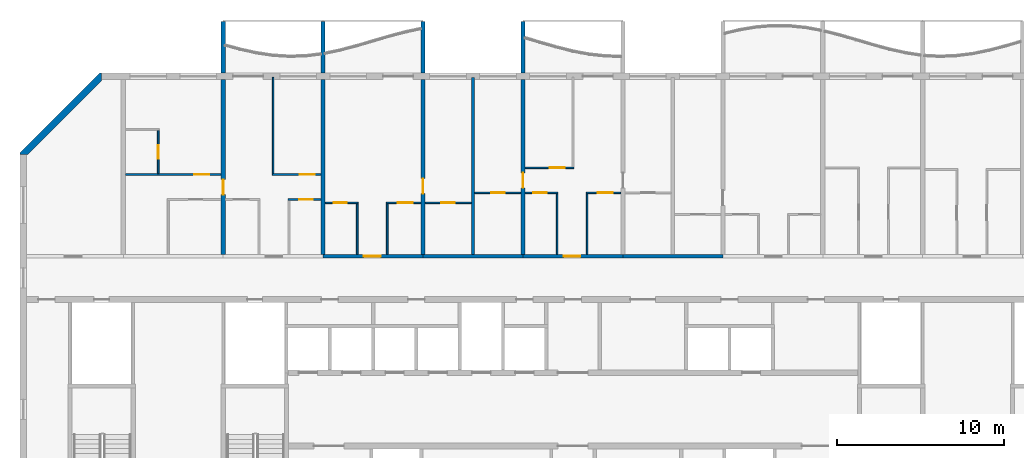
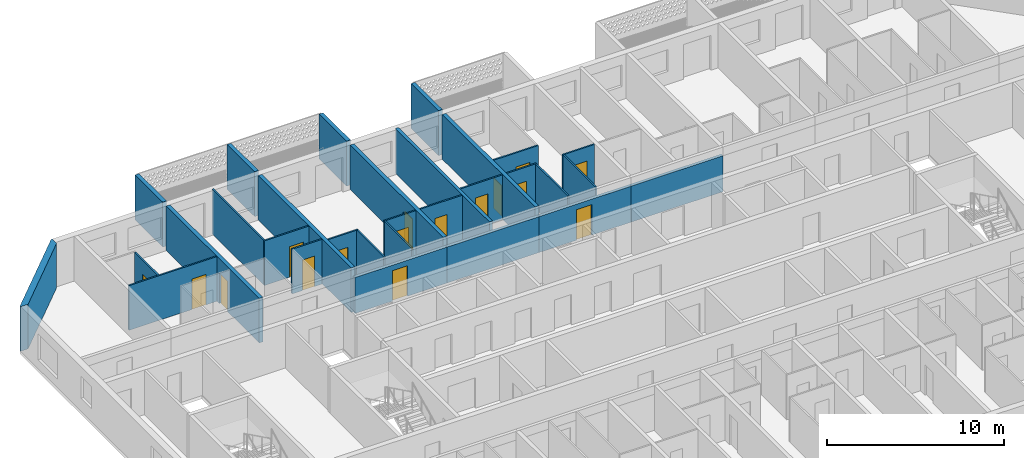
# One storey, part 8 of 26: 30 walls, 16 doors, 16 openings.
"""IFC4 building model written with IfcOpenShell, lengths in metres."""

from ifc_helpers import new_model, si_unit, direction, frame, frame_2d, origin, place, context, subcontext, project, spatial, polyline, rectangle, outline, extrude, source, transform, mapped, material, layer, layer_set, type_object, element, fill, save


model = new_model("IFC4")

# Units and contexts
model_context = context("Model", 3, precision=1e-05, world=origin(), true_north=direction((0.0, 1.0)))
body_context = subcontext(model_context, "Body", "Model", "MODEL_VIEW")
ifc_project = project(units=[si_unit("LENGTHUNIT", "METRE"), si_unit("AREAUNIT", "SQUARE_METRE"), si_unit("VOLUMEUNIT", "CUBIC_METRE"), si_unit("PLANEANGLEUNIT", "RADIAN"), si_unit("MASSUNIT", "GRAM", prefix="KILO")], contexts=[model_context])

# Site, building, storey
site_placement = place(None, origin())
site = spatial("IfcSite", under=ifc_project, at=site_placement, CompositionType="ELEMENT")
building_placement = place(site_placement, origin())
building = spatial("IfcBuilding", under=site, at=building_placement, Name="Poui Terraces", CompositionType="ELEMENT")
storey_placement = place(building_placement, frame((0.0, 0.0, 221.39990234375)))
storey = spatial("IfcBuildingStorey", under=building, at=storey_placement, Name="L61", CompositionType="ELEMENT", Elevation=221.39990234375)

# Wall, opening, door
ifc_material_1 = material(Name="Concrete 50 MPa", Category="concrete")
ifc_layer_1 = layer(ifc_material_1, 0.199951171875)
ifc_layer_set_1 = layer_set([ifc_layer_1], Name="Concrete 50 MPa")
wall_type_1 = type_object("IfcWallType", Name="CORRIDOR WALL 200 50MPa", PredefinedType="SHEAR", material=ifc_layer_set_1)
wall_1_placement = place(storey_placement, frame((36.0, 30.39990234375, 0.0), z_axis=(0.0, 0.0, 1.0), x_axis=(1.0, 0.0, 0.0)))
wall_1 = element("IfcWall", 1, at=wall_1_placement, inside=storey, type_object=wall_type_1, Name="CORRIDOR WALL LINE E BAY 4", PredefinedType="SHEAR", context=body_context, shape_type="SweptSolid", body=[
    extrude(rectangle(XDim=6.0, YDim=0.199951171875, at=frame_2d((3.0, 0.0))), origin(), (0.0, 0.0, 1.0), 2.47998046875),
])
opening_1_placement = place(wall_1_placement, frame((2.449951171875, 0.0, 0.0)))
opening_1 = element("IfcOpeningElement", 2, at=opening_1_placement, cuts=wall_1, Name="Opening FD30S", PredefinedType="OPENING", context=body_context, shape_type="SweptSolid", body=[
    extrude(rectangle(XDim=1.0, YDim=2.10009765625, at=frame_2d((0.5, 1.050048828125))), frame((0.0, 0.10986328125, 0.0), z_axis=(0.0, -1.0, 0.0), x_axis=(1.0, 0.0, 0.0)), (0.0, 0.0, 1.0), 0.219970703125),
])
ifc_material_2 = material(Name="Steel fire door", Category="steel")
door_type_1 = type_object("IfcDoorType", Name="FLAT ENTRANCE DOOR 1000 X 2100", OperationType="NOTDEFINED", PredefinedType="DOOR", material=ifc_material_2)
door_1_placement = place(opening_1_placement, origin())
door_1 = element("IfcDoor", 3, at=door_1_placement, inside=storey, type_object=door_type_1, Name="FLAT ENTRANCE DOOR 035", OperationType="SINGLE_SWING_LEFT", OverallHeight=2.10009765625, OverallWidth=1.0, PredefinedType="DOOR", context=body_context, shape_type="SweptSolid", body=[
    extrude(rectangle(XDim=1.0, YDim=2.10009765625, at=frame_2d((0.5, 1.050048828125))), frame((0.0, 0.02490234375, 0.0), z_axis=(0.0, -1.0, 0.0), x_axis=(1.0, 0.0, 0.0)), (0.0, 0.0, 1.0), 0.050048828125),
])
fill(opening_1, door_1)

# Wall
wall_2_placement = place(storey_placement, frame((42.0, 30.39990234375, 0.0), z_axis=(0.0, 0.0, 1.0), x_axis=(1.0, 0.0, 0.0)))
element("IfcWall", 4, at=wall_2_placement, inside=storey, type_object=wall_type_1, Name="CORRIDOR WALL LINE E BAY 5", PredefinedType="SHEAR", context=body_context, shape_type="SweptSolid", body=[
    extrude(rectangle(XDim=6.0, YDim=0.199951171875, at=frame_2d((3.0, 0.0))), origin(), (0.0, 0.0, 1.0), 2.47998046875),
])

# Wall, opening, door
wall_3_placement = place(storey_placement, frame((48.0, 30.39990234375, 0.0), z_axis=(0.0, 0.0, 1.0), x_axis=(1.0, 0.0, 0.0)))
wall_3 = element("IfcWall", 5, at=wall_3_placement, inside=storey, type_object=wall_type_1, Name="CORRIDOR WALL LINE E BAY 6", PredefinedType="SHEAR", context=body_context, shape_type="SweptSolid", body=[
    extrude(rectangle(XDim=6.0, YDim=0.199951171875, at=frame_2d((3.0, 0.0))), origin(), (0.0, 0.0, 1.0), 2.47998046875),
])
opening_2_placement = place(wall_3_placement, frame((2.449951171875, 0.0, 0.0)))
opening_2 = element("IfcOpeningElement", 6, at=opening_2_placement, cuts=wall_3, Name="Opening FD30S", PredefinedType="OPENING", context=body_context, shape_type="SweptSolid", body=[
    extrude(rectangle(XDim=1.0, YDim=2.10009765625, at=frame_2d((0.5, 1.050048828125))), frame((0.0, 0.10986328125, 0.0), z_axis=(0.0, -1.0, 0.0), x_axis=(1.0, 0.0, 0.0)), (0.0, 0.0, 1.0), 0.219970703125),
])
door_2_placement = place(opening_2_placement, origin())
door_2 = element("IfcDoor", 7, at=door_2_placement, inside=storey, type_object=door_type_1, Name="FLAT ENTRANCE DOOR 043", OperationType="SINGLE_SWING_LEFT", OverallHeight=2.10009765625, OverallWidth=1.0, PredefinedType="DOOR", context=body_context, shape_type="SweptSolid", body=[
    extrude(rectangle(XDim=1.0, YDim=2.10009765625, at=frame_2d((0.5, 1.050048828125))), frame((0.0, 0.02490234375, 0.0), z_axis=(0.0, -1.0, 0.0), x_axis=(1.0, 0.0, 0.0)), (0.0, 0.0, 1.0), 0.050048828125),
])
fill(opening_2, door_2)

# Wall
wall_4_placement = place(storey_placement, frame((54.0, 30.39990234375, 0.0), z_axis=(0.0, 0.0, 1.0), x_axis=(1.0, 0.0, 0.0)))
element("IfcWall", 8, at=wall_4_placement, inside=storey, type_object=wall_type_1, Name="CORRIDOR WALL LINE E BAY 7", PredefinedType="SHEAR", context=body_context, shape_type="SweptSolid", body=[
    extrude(rectangle(XDim=6.0, YDim=0.199951171875, at=frame_2d((3.0, 0.0))), origin(), (0.0, 0.0, 1.0), 2.47998046875),
])

# Wall, opening, door
ifc_layer_2 = layer(ifc_material_1, 0.25)
ifc_layer_set_2 = layer_set([ifc_layer_2], Name="Concrete 50 MPa")
wall_type_2 = type_object("IfcWallType", Name="CROSS WALL 250 50MPa", PredefinedType="SHEAR", material=ifc_layer_set_2)
wall_5_placement = place(storey_placement, frame((30.0, 30.5, 0.0), z_axis=(0.0, 0.0, 1.0), x_axis=(0.0, 1.0, 0.0)))
wall_5 = element("IfcWall", 9, at=wall_5_placement, inside=storey, type_object=wall_type_2, Name="CROSS WALL LINE 6 NORTH", PredefinedType="SHEAR", context=body_context, shape_type="SweptSolid", body=[
    extrude(rectangle(XDim=10.5, YDim=0.25, at=frame_2d((5.25, 0.0))), origin(), (0.0, 0.0, 1.0), 3.080078125),
])
opening_3_placement = place(wall_5_placement, frame((3.60009765625, 0.0, 0.0)))
opening_3 = element("IfcOpeningElement", 10, at=opening_3_placement, cuts=wall_5, Name="Opening D90", PredefinedType="OPENING", context=body_context, shape_type="SweptSolid", body=[
    extrude(rectangle(XDim=0.89990234375, YDim=2.10009765625, at=frame_2d((0.449951171875, 1.050048828125))), frame((0.0, 0.135009765625, 0.0), z_axis=(0.0, -1.0, 0.0), x_axis=(1.0, 0.0, 0.0)), (0.0, 0.0, 1.0), 0.27001953125),
])
ifc_material_3 = material(Name="Solid core timber door", Category="wood")
door_type_2 = type_object("IfcDoorType", Name="INTERNAL DOOR 900 X 2100", OperationType="NOTDEFINED", PredefinedType="DOOR", material=ifc_material_3)
door_3_placement = place(opening_3_placement, frame((0.89990234375, 0.0, 0.0), z_axis=(0.0, 0.0, 1.0), x_axis=(-1.0, 0.0, 0.0)))
door_3 = element("IfcDoor", 11, at=door_3_placement, inside=storey, type_object=door_type_2, Name="INTERNAL DOOR 027", OperationType="SINGLE_SWING_RIGHT", OverallHeight=2.10009765625, OverallWidth=0.89990234375, PredefinedType="DOOR", context=body_context, shape_type="SweptSolid", body=[
    extrude(rectangle(XDim=0.89990234375, YDim=2.10009765625, at=frame_2d((0.449951171875, 1.050048828125))), frame((0.0, 0.02490234375, 0.0), z_axis=(0.0, -1.0, 0.0), x_axis=(1.0, 0.0, 0.0)), (0.0, 0.0, 1.0), 0.050048828125),
])
fill(opening_3, door_3)

# Wall
wall_6_placement = place(storey_placement, frame((36.0, 30.5, 0.0), z_axis=(0.0, 0.0, 1.0), x_axis=(0.0, 1.0, 0.0)))
element("IfcWall", 12, at=wall_6_placement, inside=storey, type_object=wall_type_2, Name="CROSS WALL LINE 7 NORTH", PredefinedType="SHEAR", context=body_context, shape_type="SweptSolid", body=[
    extrude(rectangle(XDim=10.5, YDim=0.25, at=frame_2d((5.25, 0.0))), origin(), (0.0, 0.0, 1.0), 3.080078125),
])

# Wall, opening, door
wall_7_placement = place(storey_placement, frame((42.0, 30.5, 0.0), z_axis=(0.0, 0.0, 1.0), x_axis=(0.0, 1.0, 0.0)))
wall_7 = element("IfcWall", 13, at=wall_7_placement, inside=storey, type_object=wall_type_2, Name="CROSS WALL LINE 8 NORTH", PredefinedType="SHEAR", context=body_context, shape_type="SweptSolid", body=[
    extrude(rectangle(XDim=10.5, YDim=0.25, at=frame_2d((5.25, 0.0))), origin(), (0.0, 0.0, 1.0), 3.080078125),
])
opening_4_placement = place(wall_7_placement, frame((3.64990234375, 0.0, 0.0)))
opening_4 = element("IfcOpeningElement", 14, at=opening_4_placement, cuts=wall_7, Name="Opening D90", PredefinedType="OPENING", context=body_context, shape_type="SweptSolid", body=[
    extrude(rectangle(XDim=0.89990234375, YDim=2.10009765625, at=frame_2d((0.449951171875, 1.050048828125))), frame((0.0, 0.135009765625, 0.0), z_axis=(0.0, -1.0, 0.0), x_axis=(1.0, 0.0, 0.0)), (0.0, 0.0, 1.0), 0.27001953125),
])
door_4_placement = place(opening_4_placement, frame((0.89990234375, 0.0, 0.0), z_axis=(0.0, 0.0, 1.0), x_axis=(-1.0, 0.0, 0.0)))
door_4 = element("IfcDoor", 15, at=door_4_placement, inside=storey, type_object=door_type_2, Name="INTERNAL DOOR 037", OperationType="SINGLE_SWING_RIGHT", OverallHeight=2.10009765625, OverallWidth=0.89990234375, PredefinedType="DOOR", context=body_context, shape_type="SweptSolid", body=[
    extrude(rectangle(XDim=0.89990234375, YDim=2.10009765625, at=frame_2d((0.449951171875, 1.050048828125))), frame((0.0, 0.02490234375, 0.0), z_axis=(0.0, -1.0, 0.0), x_axis=(1.0, 0.0, 0.0)), (0.0, 0.0, 1.0), 0.050048828125),
])
fill(opening_4, door_4)

wall_8_placement = place(storey_placement, frame((48.0, 30.5, 0.0), z_axis=(0.0, 0.0, 1.0), x_axis=(0.0, 1.0, 0.0)))
wall_8 = element("IfcWall", 16, at=wall_8_placement, inside=storey, type_object=wall_type_2, Name="CROSS WALL LINE 9 NORTH", PredefinedType="SHEAR", context=body_context, shape_type="SweptSolid", body=[
    extrude(rectangle(XDim=10.5, YDim=0.25, at=frame_2d((5.25, 0.0))), origin(), (0.0, 0.0, 1.0), 3.080078125),
])
opening_5_placement = place(wall_8_placement, frame((4.0, 0.0, 0.0)))
opening_5 = element("IfcOpeningElement", 17, at=opening_5_placement, cuts=wall_8, Name="Opening D90", PredefinedType="OPENING", context=body_context, shape_type="SweptSolid", body=[
    extrude(rectangle(XDim=0.89990234375, YDim=2.10009765625, at=frame_2d((0.449951171875, 1.050048828125))), frame((0.0, 0.135009765625, 0.0), z_axis=(0.0, -1.0, 0.0), x_axis=(1.0, 0.0, 0.0)), (0.0, 0.0, 1.0), 0.27001953125),
])
door_5_placement = place(opening_5_placement, origin())
door_5 = element("IfcDoor", 18, at=door_5_placement, inside=storey, type_object=door_type_2, Name="INTERNAL DOOR 040", OperationType="SINGLE_SWING_LEFT", OverallHeight=2.10009765625, OverallWidth=0.89990234375, PredefinedType="DOOR", context=body_context, shape_type="SweptSolid", body=[
    extrude(rectangle(XDim=0.89990234375, YDim=2.10009765625, at=frame_2d((0.449951171875, 1.050048828125))), frame((0.0, 0.02490234375, 0.0), z_axis=(0.0, -1.0, 0.0), x_axis=(1.0, 0.0, 0.0)), (0.0, 0.0, 1.0), 0.050048828125),
])
fill(opening_5, door_5)

ifc_material_4 = material(Name="Plasterboard partition")
ifc_layer_3 = layer(ifc_material_4, 0.10009765625)
ifc_layer_set_3 = layer_set([ifc_layer_3], Name="Plasterboard partition")
wall_type_3 = type_object("IfcWallType", Name="FLAT PARTITION 100", PredefinedType="PARTITIONING", material=ifc_layer_set_3)
wall_9_placement = place(storey_placement, frame((36.135009765625, 33.60009765625, 0.0), z_axis=(0.0, 0.0, 1.0), x_axis=(1.0, 0.0, 0.0)))
wall_9 = element("IfcWall", 19, at=wall_9_placement, inside=storey, type_object=wall_type_3, Name="FLAT PARTITION 100", PredefinedType="PARTITIONING", context=body_context, shape_type="SweptSolid", body=[
    extrude(rectangle(XDim=1.965087890625, YDim=0.10009765625, at=frame_2d((0.982421875, 0.0))), origin(), (0.0, 0.0, 1.0), 3.080078125),
])
opening_6_placement = place(wall_9_placement, frame((0.489990234375, 0.0, 0.0)))
opening_6 = element("IfcOpeningElement", 20, at=opening_6_placement, cuts=wall_9, Name="Opening D80", PredefinedType="OPENING", context=body_context, shape_type="SweptSolid", body=[
    extrude(rectangle(XDim=0.800048828125, YDim=2.10009765625, at=frame_2d((0.39990234375, 1.050048828125))), frame((0.0, 0.06005859375, 0.0), z_axis=(0.0, -1.0, 0.0), x_axis=(1.0, 0.0, 0.0)), (0.0, 0.0, 1.0), 0.1201171875),
])
door_type_3 = type_object("IfcDoorType", Name="BATHROOM, LAUNDRY AND STORE DOOR 800 X 2100", OperationType="NOTDEFINED", PredefinedType="DOOR", material=ifc_material_3)
door_6_placement = place(opening_6_placement, frame((0.800048828125, 0.0, 0.0), z_axis=(0.0, 0.0, 1.0), x_axis=(-1.0, 0.0, 0.0)))
door_6 = element("IfcDoor", 21, at=door_6_placement, inside=storey, type_object=door_type_3, Name="BATHROOM, LAUNDRY AND STORE DOOR 034", OperationType="SINGLE_SWING_LEFT", OverallHeight=2.10009765625, OverallWidth=0.800048828125, PredefinedType="DOOR", context=body_context, shape_type="SweptSolid", body=[
    extrude(rectangle(XDim=0.800048828125, YDim=2.10009765625, at=frame_2d((0.39990234375, 1.050048828125))), frame((0.0, 0.02490234375, 0.0), z_axis=(0.0, -1.0, 0.0), x_axis=(1.0, 0.0, 0.0)), (0.0, 0.0, 1.0), 0.050048828125),
])
fill(opening_6, door_6)

wall_10_placement = place(storey_placement, frame((39.800048828125, 33.60009765625, 0.0), z_axis=(0.0, 0.0, 1.0), x_axis=(1.0, 0.0, 0.0)))
wall_10 = element("IfcWall", 22, at=wall_10_placement, inside=storey, type_object=wall_type_3, Name="FLAT PARTITION 100", PredefinedType="PARTITIONING", context=body_context, shape_type="SweptSolid", body=[
    extrude(rectangle(XDim=2.06494140625, YDim=0.10009765625, at=frame_2d((1.032470703125, 0.0))), origin(), (0.0, 0.0, 1.0), 3.080078125),
])
opening_7_placement = place(wall_10_placement, frame((0.675048828125, 0.0, 0.0)))
opening_7 = element("IfcOpeningElement", 23, at=opening_7_placement, cuts=wall_10, Name="Opening D90", PredefinedType="OPENING", context=body_context, shape_type="SweptSolid", body=[
    extrude(rectangle(XDim=0.89990234375, YDim=2.10009765625, at=frame_2d((0.449951171875, 1.050048828125))), frame((0.0, 0.06005859375, 0.0), z_axis=(0.0, -1.0, 0.0), x_axis=(1.0, 0.0, 0.0)), (0.0, 0.0, 1.0), 0.1201171875),
])
door_7_placement = place(opening_7_placement, frame((0.89990234375, 0.0, 0.0), z_axis=(0.0, 0.0, 1.0), x_axis=(-1.0, 0.0, 0.0)))
door_7 = element("IfcDoor", 24, at=door_7_placement, inside=storey, type_object=door_type_2, Name="INTERNAL DOOR 036", OperationType="SINGLE_SWING_RIGHT", OverallHeight=2.10009765625, OverallWidth=0.89990234375, PredefinedType="DOOR", context=body_context, shape_type="SweptSolid", body=[
    extrude(rectangle(XDim=0.89990234375, YDim=2.10009765625, at=frame_2d((0.449951171875, 1.050048828125))), frame((0.0, 0.02490234375, 0.0), z_axis=(0.0, -1.0, 0.0), x_axis=(1.0, 0.0, 0.0)), (0.0, 0.0, 1.0), 0.050048828125),
])
fill(opening_7, door_7)

wall_11_placement = place(storey_placement, frame((42.135009765625, 33.60009765625, 0.0), z_axis=(0.0, 0.0, 1.0), x_axis=(1.0, 0.0, 0.0)))
wall_11 = element("IfcWall", 25, at=wall_11_placement, inside=storey, type_object=wall_type_3, Name="FLAT PARTITION 100", PredefinedType="PARTITIONING", context=body_context, shape_type="SweptSolid", body=[
    extrude(rectangle(XDim=2.764892578125, YDim=0.10009765625, at=frame_2d((1.38232421875, 0.0))), origin(), (0.0, 0.0, 1.0), 3.080078125),
])
opening_8_placement = place(wall_11_placement, frame((0.965087890625, 0.0, 0.0)))
opening_8 = element("IfcOpeningElement", 26, at=opening_8_placement, cuts=wall_11, Name="Opening D80", PredefinedType="OPENING", context=body_context, shape_type="SweptSolid", body=[
    extrude(rectangle(XDim=0.800048828125, YDim=2.10009765625, at=frame_2d((0.39990234375, 1.050048828125))), frame((0.0, 0.06005859375, 0.0), z_axis=(0.0, -1.0, 0.0), x_axis=(1.0, 0.0, 0.0)), (0.0, 0.0, 1.0), 0.1201171875),
])
door_8_placement = place(opening_8_placement, frame((0.800048828125, 0.0, 0.0), z_axis=(0.0, 0.0, 1.0), x_axis=(-1.0, 0.0, 0.0)))
door_8 = element("IfcDoor", 27, at=door_8_placement, inside=storey, type_object=door_type_3, Name="BATHROOM, LAUNDRY AND STORE DOOR 033", OperationType="SINGLE_SWING_RIGHT", OverallHeight=2.10009765625, OverallWidth=0.800048828125, PredefinedType="DOOR", context=body_context, shape_type="SweptSolid", body=[
    extrude(rectangle(XDim=0.800048828125, YDim=2.10009765625, at=frame_2d((0.39990234375, 1.050048828125))), frame((0.0, 0.02490234375, 0.0), z_axis=(0.0, -1.0, 0.0), x_axis=(1.0, 0.0, 0.0)), (0.0, 0.0, 1.0), 0.050048828125),
])
fill(opening_8, door_8)

wall_12_placement = place(storey_placement, frame((33.89990234375, 33.800048828125, 0.0), z_axis=(0.0, 0.0, 1.0), x_axis=(1.0, 0.0, 0.0)))
wall_12 = element("IfcWall", 28, at=wall_12_placement, inside=storey, type_object=wall_type_3, Name="FLAT PARTITION 100", PredefinedType="PARTITIONING", context=body_context, shape_type="SweptSolid", body=[
    extrude(rectangle(XDim=1.965087890625, YDim=0.10009765625, at=frame_2d((0.982421875, 0.0))), origin(), (0.0, 0.0, 1.0), 3.080078125),
])
opening_9_placement = place(wall_12_placement, frame((0.675048828125, 0.0, 0.0)))
opening_9 = element("IfcOpeningElement", 29, at=opening_9_placement, cuts=wall_12, Name="Opening D80", PredefinedType="OPENING", context=body_context, shape_type="SweptSolid", body=[
    extrude(rectangle(XDim=0.800048828125, YDim=2.10009765625, at=frame_2d((0.39990234375, 1.050048828125))), frame((0.0, 0.06005859375, 0.0), z_axis=(0.0, -1.0, 0.0), x_axis=(1.0, 0.0, 0.0)), (0.0, 0.0, 1.0), 0.1201171875),
])
door_9_placement = place(opening_9_placement, frame((0.800048828125, 0.0, 0.0), z_axis=(0.0, 0.0, 1.0), x_axis=(-1.0, 0.0, 0.0)))
door_9 = element("IfcDoor", 30, at=door_9_placement, inside=storey, type_object=door_type_3, Name="BATHROOM, LAUNDRY AND STORE DOOR 030", OperationType="SINGLE_SWING_LEFT", OverallHeight=2.10009765625, OverallWidth=0.800048828125, PredefinedType="DOOR", context=body_context, shape_type="SweptSolid", body=[
    extrude(rectangle(XDim=0.800048828125, YDim=2.10009765625, at=frame_2d((0.39990234375, 1.050048828125))), frame((0.0, 0.02490234375, 0.0), z_axis=(0.0, -1.0, 0.0), x_axis=(1.0, 0.0, 0.0)), (0.0, 0.0, 1.0), 0.050048828125),
])
fill(opening_9, door_9)

wall_13_placement = place(storey_placement, frame((45.10009765625, 34.199951171875, 0.0), z_axis=(0.0, 0.0, 1.0), x_axis=(1.0, 0.0, 0.0)))
wall_13 = element("IfcWall", 31, at=wall_13_placement, inside=storey, type_object=wall_type_3, Name="FLAT PARTITION 100", PredefinedType="PARTITIONING", context=body_context, shape_type="SweptSolid", body=[
    extrude(rectangle(XDim=2.764892578125, YDim=0.10009765625, at=frame_2d((1.38232421875, 0.0))), origin(), (0.0, 0.0, 1.0), 3.080078125),
])
opening_10_placement = place(wall_13_placement, frame((1.0, 0.0, 0.0)))
opening_10 = element("IfcOpeningElement", 32, at=opening_10_placement, cuts=wall_13, Name="Opening D80", PredefinedType="OPENING", context=body_context, shape_type="SweptSolid", body=[
    extrude(rectangle(XDim=0.800048828125, YDim=2.10009765625, at=frame_2d((0.39990234375, 1.050048828125))), frame((0.0, 0.06005859375, 0.0), z_axis=(0.0, -1.0, 0.0), x_axis=(1.0, 0.0, 0.0)), (0.0, 0.0, 1.0), 0.1201171875),
])
door_10_placement = place(opening_10_placement, frame((0.800048828125, 0.0, 0.0), z_axis=(0.0, 0.0, 1.0), x_axis=(-1.0, 0.0, 0.0)))
door_10 = element("IfcDoor", 33, at=door_10_placement, inside=storey, type_object=door_type_3, Name="BATHROOM, LAUNDRY AND STORE DOOR 038", OperationType="SINGLE_SWING_LEFT", OverallHeight=2.10009765625, OverallWidth=0.800048828125, PredefinedType="DOOR", context=body_context, shape_type="SweptSolid", body=[
    extrude(rectangle(XDim=0.800048828125, YDim=2.10009765625, at=frame_2d((0.39990234375, 1.050048828125))), frame((0.0, 0.02490234375, 0.0), z_axis=(0.0, -1.0, 0.0), x_axis=(1.0, 0.0, 0.0)), (0.0, 0.0, 1.0), 0.050048828125),
])
fill(opening_10, door_10)

wall_14_placement = place(storey_placement, frame((48.135009765625, 34.199951171875, 0.0), z_axis=(0.0, 0.0, 1.0), x_axis=(1.0, 0.0, 0.0)))
wall_14 = element("IfcWall", 34, at=wall_14_placement, inside=storey, type_object=wall_type_3, Name="FLAT PARTITION 100", PredefinedType="PARTITIONING", context=body_context, shape_type="SweptSolid", body=[
    extrude(rectangle(XDim=1.965087890625, YDim=0.10009765625, at=frame_2d((0.982421875, 0.0))), origin(), (0.0, 0.0, 1.0), 3.080078125),
])
opening_11_placement = place(wall_14_placement, frame((0.489990234375, 0.0, 0.0)))
opening_11 = element("IfcOpeningElement", 35, at=opening_11_placement, cuts=wall_14, Name="Opening D80", PredefinedType="OPENING", context=body_context, shape_type="SweptSolid", body=[
    extrude(rectangle(XDim=0.800048828125, YDim=2.10009765625, at=frame_2d((0.39990234375, 1.050048828125))), frame((0.0, 0.06005859375, 0.0), z_axis=(0.0, -1.0, 0.0), x_axis=(1.0, 0.0, 0.0)), (0.0, 0.0, 1.0), 0.1201171875),
])
door_11_placement = place(opening_11_placement, frame((0.800048828125, 0.0, 0.0), z_axis=(0.0, 0.0, 1.0), x_axis=(-1.0, 0.0, 0.0)))
door_11 = element("IfcDoor", 36, at=door_11_placement, inside=storey, type_object=door_type_3, Name="BATHROOM, LAUNDRY AND STORE DOOR 041", OperationType="SINGLE_SWING_LEFT", OverallHeight=2.10009765625, OverallWidth=0.800048828125, PredefinedType="DOOR", context=body_context, shape_type="SweptSolid", body=[
    extrude(rectangle(XDim=0.800048828125, YDim=2.10009765625, at=frame_2d((0.39990234375, 1.050048828125))), frame((0.0, 0.02490234375, 0.0), z_axis=(0.0, -1.0, 0.0), x_axis=(1.0, 0.0, 0.0)), (0.0, 0.0, 1.0), 0.050048828125),
])
fill(opening_11, door_11)

wall_15_placement = place(storey_placement, frame((51.800048828125, 34.199951171875, 0.0), z_axis=(0.0, 0.0, 1.0), x_axis=(1.0, 0.0, 0.0)))
wall_15 = element("IfcWall", 37, at=wall_15_placement, inside=storey, type_object=wall_type_3, Name="FLAT PARTITION 100", PredefinedType="PARTITIONING", context=body_context, shape_type="SweptSolid", body=[
    extrude(rectangle(XDim=2.06494140625, YDim=0.10009765625, at=frame_2d((1.032470703125, 0.0))), origin(), (0.0, 0.0, 1.0), 3.080078125),
])
opening_12_placement = place(wall_15_placement, frame((0.675048828125, 0.0, 0.0)))
opening_12 = element("IfcOpeningElement", 38, at=opening_12_placement, cuts=wall_15, Name="Opening D90", PredefinedType="OPENING", context=body_context, shape_type="SweptSolid", body=[
    extrude(rectangle(XDim=0.89990234375, YDim=2.10009765625, at=frame_2d((0.449951171875, 1.050048828125))), frame((0.0, 0.06005859375, 0.0), z_axis=(0.0, -1.0, 0.0), x_axis=(1.0, 0.0, 0.0)), (0.0, 0.0, 1.0), 0.1201171875),
])
door_12_placement = place(opening_12_placement, frame((0.89990234375, 0.0, 0.0), z_axis=(0.0, 0.0, 1.0), x_axis=(-1.0, 0.0, 0.0)))
door_12 = element("IfcDoor", 39, at=door_12_placement, inside=storey, type_object=door_type_2, Name="INTERNAL DOOR 044", OperationType="SINGLE_SWING_RIGHT", OverallHeight=2.10009765625, OverallWidth=0.89990234375, PredefinedType="DOOR", context=body_context, shape_type="SweptSolid", body=[
    extrude(rectangle(XDim=0.89990234375, YDim=2.10009765625, at=frame_2d((0.449951171875, 1.050048828125))), frame((0.0, 0.02490234375, 0.0), z_axis=(0.0, -1.0, 0.0), x_axis=(1.0, 0.0, 0.0)), (0.0, 0.0, 1.0), 0.050048828125),
])
fill(opening_12, door_12)

wall_16_placement = place(storey_placement, frame((24.135009765625, 35.300048828125, 0.0), z_axis=(0.0, 0.0, 1.0), x_axis=(1.0, 0.0, 0.0)))
wall_16 = element("IfcWall", 40, at=wall_16_placement, inside=storey, type_object=wall_type_3, Name="FLAT PARTITION 100", PredefinedType="PARTITIONING", context=body_context, shape_type="SweptSolid", body=[
    extrude(rectangle(XDim=5.72998046875, YDim=0.10009765625, at=frame_2d((2.864990234375, 0.0))), origin(), (0.0, 0.0, 1.0), 3.080078125),
])
opening_13_placement = place(wall_16_placement, frame((4.114990234375, 0.0, 0.0)))
opening_13 = element("IfcOpeningElement", 41, at=opening_13_placement, cuts=wall_16, Name="Opening D90", PredefinedType="OPENING", context=body_context, shape_type="SweptSolid", body=[
    extrude(rectangle(XDim=0.89990234375, YDim=2.10009765625, at=frame_2d((0.449951171875, 1.050048828125))), frame((0.0, 0.06005859375, 0.0), z_axis=(0.0, -1.0, 0.0), x_axis=(1.0, 0.0, 0.0)), (0.0, 0.0, 1.0), 0.1201171875),
])
door_13_placement = place(opening_13_placement, origin())
door_13 = element("IfcDoor", 42, at=door_13_placement, inside=storey, type_object=door_type_2, Name="INTERNAL DOOR 026", OperationType="SINGLE_SWING_RIGHT", OverallHeight=2.10009765625, OverallWidth=0.89990234375, PredefinedType="DOOR", context=body_context, shape_type="SweptSolid", body=[
    extrude(rectangle(XDim=0.89990234375, YDim=2.10009765625, at=frame_2d((0.449951171875, 1.050048828125))), frame((0.0, 0.02490234375, 0.0), z_axis=(0.0, -1.0, 0.0), x_axis=(1.0, 0.0, 0.0)), (0.0, 0.0, 1.0), 0.050048828125),
])
fill(opening_13, door_13)

wall_17_placement = place(storey_placement, frame((32.949951171875, 35.300048828125, 0.0), z_axis=(0.0, 0.0, 1.0), x_axis=(1.0, 0.0, 0.0)))
wall_17 = element("IfcWall", 43, at=wall_17_placement, inside=storey, type_object=wall_type_3, Name="FLAT PARTITION 100", PredefinedType="PARTITIONING", context=body_context, shape_type="SweptSolid", body=[
    extrude(rectangle(XDim=2.9150390625, YDim=0.10009765625, at=frame_2d((1.45751953125, 0.0))), origin(), (0.0, 0.0, 1.0), 3.080078125),
])
opening_14_placement = place(wall_17_placement, frame((1.64990234375, 0.0, 0.0)))
opening_14 = element("IfcOpeningElement", 44, at=opening_14_placement, cuts=wall_17, Name="Opening D90", PredefinedType="OPENING", context=body_context, shape_type="SweptSolid", body=[
    extrude(rectangle(XDim=0.89990234375, YDim=2.10009765625, at=frame_2d((0.449951171875, 1.050048828125))), frame((0.0, 0.06005859375, 0.0), z_axis=(0.0, -1.0, 0.0), x_axis=(1.0, 0.0, 0.0)), (0.0, 0.0, 1.0), 0.1201171875),
])
door_14_placement = place(opening_14_placement, frame((0.89990234375, 0.0, 0.0), z_axis=(0.0, 0.0, 1.0), x_axis=(-1.0, 0.0, 0.0)))
door_14 = element("IfcDoor", 45, at=door_14_placement, inside=storey, type_object=door_type_2, Name="INTERNAL DOOR 031", OperationType="SINGLE_SWING_RIGHT", OverallHeight=2.10009765625, OverallWidth=0.89990234375, PredefinedType="DOOR", context=body_context, shape_type="SweptSolid", body=[
    extrude(rectangle(XDim=0.89990234375, YDim=2.10009765625, at=frame_2d((0.449951171875, 1.050048828125))), frame((0.0, 0.02490234375, 0.0), z_axis=(0.0, -1.0, 0.0), x_axis=(1.0, 0.0, 0.0)), (0.0, 0.0, 1.0), 0.050048828125),
])
fill(opening_14, door_14)

wall_18_placement = place(storey_placement, frame((48.135009765625, 35.699951171875, 0.0), z_axis=(0.0, 0.0, 1.0), x_axis=(1.0, 0.0, 0.0)))
wall_18 = element("IfcWall", 46, at=wall_18_placement, inside=storey, type_object=wall_type_3, Name="FLAT PARTITION 100", PredefinedType="PARTITIONING", context=body_context, shape_type="SweptSolid", body=[
    extrude(rectangle(XDim=2.9150390625, YDim=0.10009765625, at=frame_2d((1.45751953125, 0.0))), origin(), (0.0, 0.0, 1.0), 3.080078125),
])
opening_15_placement = place(wall_18_placement, frame((1.465087890625, 0.0, 0.0)))
opening_15 = element("IfcOpeningElement", 47, at=opening_15_placement, cuts=wall_18, Name="Opening D90", PredefinedType="OPENING", context=body_context, shape_type="SweptSolid", body=[
    extrude(rectangle(XDim=0.89990234375, YDim=2.10009765625, at=frame_2d((0.449951171875, 1.050048828125))), frame((0.0, 0.06005859375, 0.0), z_axis=(0.0, -1.0, 0.0), x_axis=(1.0, 0.0, 0.0)), (0.0, 0.0, 1.0), 0.1201171875),
])
door_15_placement = place(opening_15_placement, frame((0.89990234375, 0.0, 0.0), z_axis=(0.0, 0.0, 1.0), x_axis=(-1.0, 0.0, 0.0)))
door_15 = element("IfcDoor", 48, at=door_15_placement, inside=storey, type_object=door_type_2, Name="INTERNAL DOOR 042", OperationType="SINGLE_SWING_RIGHT", OverallHeight=2.10009765625, OverallWidth=0.89990234375, PredefinedType="DOOR", context=body_context, shape_type="SweptSolid", body=[
    extrude(rectangle(XDim=0.89990234375, YDim=2.10009765625, at=frame_2d((0.449951171875, 1.050048828125))), frame((0.0, 0.02490234375, 0.0), z_axis=(0.0, -1.0, 0.0), x_axis=(1.0, 0.0, 0.0)), (0.0, 0.0, 1.0), 0.050048828125),
])
fill(opening_15, door_15)

wall_19_placement = place(storey_placement, frame((26.10009765625, 35.35009765625, 0.0), z_axis=(0.0, 0.0, 1.0), x_axis=(0.0, 1.0, 0.0)))
wall_19 = element("IfcWall", 49, at=wall_19_placement, inside=storey, type_object=wall_type_3, Name="FLAT PARTITION 100", PredefinedType="PARTITIONING", context=body_context, shape_type="SweptSolid", body=[
    extrude(rectangle(XDim=2.599853515625, YDim=0.10009765625, at=frame_2d((1.2998046875, 0.0))), origin(), (0.0, 0.0, 1.0), 3.080078125),
])
opening_16_placement = place(wall_19_placement, frame((0.89990234375, 0.0, 0.0)))
opening_16 = element("IfcOpeningElement", 50, at=opening_16_placement, cuts=wall_19, Name="Opening D80", PredefinedType="OPENING", context=body_context, shape_type="SweptSolid", body=[
    extrude(rectangle(XDim=0.800048828125, YDim=2.10009765625, at=frame_2d((0.39990234375, 1.050048828125))), frame((0.0, 0.06005859375, 0.0), z_axis=(0.0, -1.0, 0.0), x_axis=(1.0, 0.0, 0.0)), (0.0, 0.0, 1.0), 0.1201171875),
])
door_16_placement = place(opening_16_placement, origin())
door_16 = element("IfcDoor", 51, at=door_16_placement, inside=storey, type_object=door_type_3, Name="BATHROOM, LAUNDRY AND STORE DOOR 032", OperationType="SINGLE_SWING_RIGHT", OverallHeight=2.10009765625, OverallWidth=0.800048828125, PredefinedType="DOOR", context=body_context, shape_type="SweptSolid", body=[
    extrude(rectangle(XDim=0.800048828125, YDim=2.10009765625, at=frame_2d((0.39990234375, 1.050048828125))), frame((0.0, 0.02490234375, 0.0), z_axis=(0.0, -1.0, 0.0), x_axis=(1.0, 0.0, 0.0)), (0.0, 0.0, 1.0), 0.050048828125),
])
fill(opening_16, door_16)

# Walls
wall_20_placement = place(storey_placement, frame((33.0, 35.35009765625, 0.0), z_axis=(0.0, 0.0, 1.0), x_axis=(0.0, 1.0, 0.0)))
element("IfcWall", 52, at=wall_20_placement, inside=storey, type_object=wall_type_3, Name="FLAT PARTITION 100", PredefinedType="PARTITIONING", context=body_context, shape_type="SweptSolid", body=[
    extrude(rectangle(XDim=5.789794921875, YDim=0.10009765625, at=frame_2d((2.89501953125, 0.0))), origin(), (0.0, 0.0, 1.0), 3.080078125),
])
for number, where, z_axis, x_axis, name in (
    (53, (38.050048828125, 30.510009765625, 0.0), (0.0, 0.0, 1.0), (0.0, 1.0, 0.0), "FLAT PARTITION 100"),
    (54, (39.85009765625, 30.510009765625, 0.0), (0.0, 0.0, 1.0), (0.0, 1.0, 0.0), "FLAT PARTITION 100"),
):
    element("IfcWall", number, at=place(storey_placement, frame(where, z_axis=z_axis, x_axis=x_axis)), inside=storey, type_object=wall_type_3, Name=name, PredefinedType="PARTITIONING", context=body_context, shape_type="SweptSolid", body=[
        extrude(rectangle(XDim=3.0400390625, YDim=0.10009765625, at=frame_2d((1.52001953125, 0.0))), origin(), (0.0, 0.0, 1.0), 3.080078125),
    ])
for number, where, z_axis, x_axis, name in (
    (55, (50.050048828125, 30.510009765625, 0.0), (0.0, 0.0, 1.0), (0.0, 1.0, 0.0), "FLAT PARTITION 100"),
    (56, (51.85009765625, 30.510009765625, 0.0), (0.0, 0.0, 1.0), (0.0, 1.0, 0.0), "FLAT PARTITION 100"),
):
    element("IfcWall", number, at=place(storey_placement, frame(where, z_axis=z_axis, x_axis=x_axis)), inside=storey, type_object=wall_type_3, Name=name, PredefinedType="PARTITIONING", context=body_context, shape_type="SweptSolid", body=[
        extrude(rectangle(XDim=3.639892578125, YDim=0.10009765625, at=frame_2d((1.81982421875, 0.0))), origin(), (0.0, 0.0, 1.0), 3.080078125),
    ])
ifc_material_5 = material(Name="Fire-rated masonry wall", Category="masonry")
ifc_layer_4 = layer(ifc_material_5, 0.199951171875)
ifc_layer_set_4 = layer_set([ifc_layer_4], Name="Fire-rated masonry wall")
wall_type_4 = type_object("IfcWallType", Name="FLAT PARTY WALL 200", PredefinedType="PARTITIONING", material=ifc_layer_set_4)
wall_21_placement = place(storey_placement, frame((45.0, 30.510009765625, 0.0), z_axis=(0.0, 0.0, 1.0), x_axis=(0.0, 1.0, 0.0)))
element("IfcWall", 57, at=wall_21_placement, inside=storey, type_object=wall_type_4, Name="FLAT PARTY WALL 200", PredefinedType="PARTITIONING", context=body_context, shape_type="SweptSolid", body=[
    extrude(rectangle(XDim=10.6298828125, YDim=0.199951171875, at=frame_2d((5.31494140625, 0.0))), origin(), (0.0, 0.0, 1.0), 3.080078125),
])
ifc_material_6 = material(Name="Precast concrete 40 MPa", Category="concrete")
ifc_layer_5 = layer(ifc_material_6, 0.39990234375)
ifc_layer_set_5 = layer_set([ifc_layer_5], Name="Precast concrete 40 MPa")
wall_type_5 = type_object("IfcWallType", Name="TERRACOTTA CLAD CHAMFER WALL 400", PredefinedType="STANDARD", material=ifc_layer_set_5)
wall_22_placement = place(storey_placement, origin())
element("IfcWall", 58, at=wall_22_placement, inside=storey, type_object=wall_type_5, Name="CHAMFER WALL CH05", PredefinedType="STANDARD", context=body_context, shape_type="SweptSolid", body=[
    extrude(outline(polyline([(22.682861328125, 41.39990234375), (22.60009765625, 41.39990234375), (17.800048828125, 36.60009765625), (17.800048828125, 36.51708984375), (18.28271484375, 36.51708984375), (22.682861328125, 40.917236328125), (22.682861328125, 41.39990234375)])), origin(), (0.0, 0.0, 1.0), 3.080078125),
])
ifc_layer_6 = layer(ifc_material_6, 0.25)
ifc_layer_set_6 = layer_set([ifc_layer_6], Name="Precast concrete 40 MPa")
wall_type_6 = type_object("IfcWallType", Name="BALCONY FIN 250", PredefinedType="STANDARD", material=ifc_layer_set_6)
shared_shape = source(origin(), body_context, "Body", "SweptSolid", [
    extrude(outline(polyline([(0.0, 0.0), (0.25, 0.0), (0.25, 3.10009765625), (0.0, 3.10009765625), (0.0, 0.0)])), origin(), (0.0, 0.0, 1.0), 3.10009765625),
])
for number, where, name in (
    (59, (29.875, 41.39990234375, 0.0), "BALCONY FIN"),
    (60, (35.875, 41.39990234375, 0.0), "BALCONY FIN"),
    (61, (41.875, 41.39990234375, 0.0), "BALCONY FIN"),
    (62, (47.875, 41.39990234375, 0.0), "BALCONY FIN"),
):
    element("IfcWall", number, at=place(storey_placement, frame(where)), inside=storey, type_object=wall_type_6, Name=name, PredefinedType="STANDARD", context=body_context, shape_type="MappedRepresentation", body=[
        mapped(shared_shape, transform((0.0, 0.0, 0.0))),
    ])

save(model, "model.ifc")
